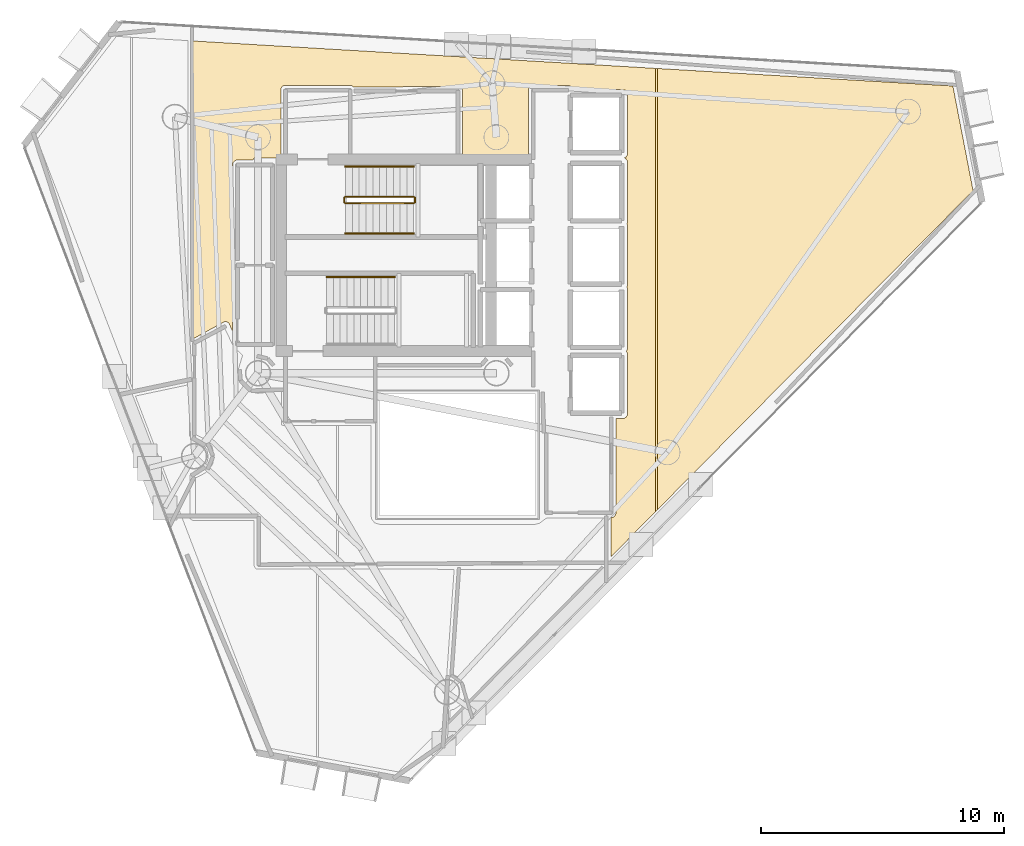
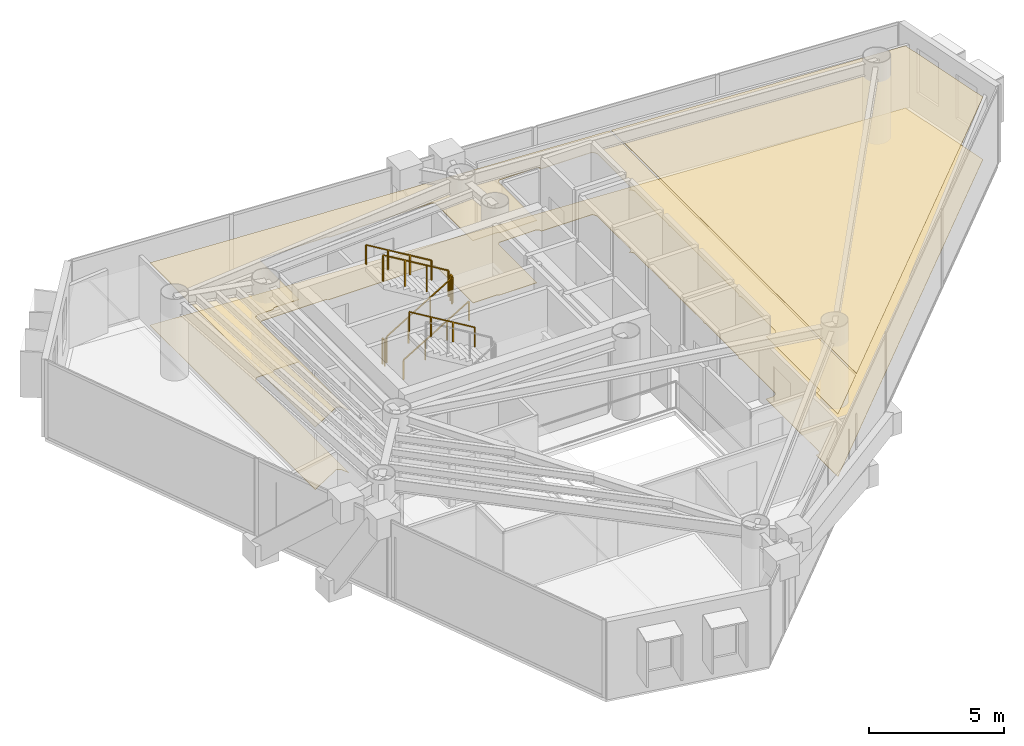
# One storey, part 20 of 20: 7 railings, 3 coverings.
"""IFC4 building model written with IfcOpenShell, lengths in metres."""

from ifc_helpers import new_model, si_unit, direction, frame, origin, origin_2d, place, context, subcontext, project, spatial, polyline, rectangle, outline, extrude, material, layer, layer_set, type_object, element, save


model = new_model("IFC4")

# Units and contexts
model_context = context("Model", 3, precision=1e-05, world=origin(), true_north=direction((0.0, 1.0)))
body_context = subcontext(model_context, "Body", "Model", "MODEL_VIEW")
ifc_project = project(units=[si_unit("LENGTHUNIT", "METRE"), si_unit("AREAUNIT", "SQUARE_METRE"), si_unit("VOLUMEUNIT", "CUBIC_METRE"), si_unit("PLANEANGLEUNIT", "RADIAN"), si_unit("MASSUNIT", "GRAM", prefix="KILO")], contexts=[model_context])

# Site, building, storey
site_placement = place(None, origin())
site = spatial("IfcSite", under=ifc_project, at=site_placement, CompositionType="ELEMENT")
building_placement = place(site_placement, origin())
building = spatial("IfcBuilding", under=site, at=building_placement, Name="Qianvela Tower", CompositionType="ELEMENT")
storey_placement = place(building_placement, frame((0.0, 0.0, 239.0)))
storey = spatial("IfcBuildingStorey", under=building, at=storey_placement, Name="L61", CompositionType="ELEMENT", Elevation=239.0)

# Coverings
ifc_material_1 = material(Name="Perforated Mineral Acoustic Ceiling Tile")
ifc_layer_1 = layer(ifc_material_1, 0.02490234375)
ifc_layer_set_1 = layer_set([ifc_layer_1], Name="Perforated Mineral Acoustic Ceiling Tile")
covering_type_1 = type_object("IfcCoveringType", Name="COV-CEIL-ACOUSTIC-25", PredefinedType="CEILING", material=ifc_layer_set_1)
covering_1_placement = place(storey_placement, frame((0.0, 0.0, 2.81494140625)))
element("IfcCovering", 1, at=covering_1_placement, inside=storey, type_object=covering_type_1, Name="L61 Acoustic Ceiling Bay 1 Social Sitting Lounge L61-02", PredefinedType="CEILING", context=body_context, shape_type="SweptSolid", body=[
    extrude(outline(polyline([(25.933837890625, 37.5107421875), (44.934814453125, 36.38427734375), (44.934814453125, 18.150390625), (43.109619140625, 16.30517578125), (43.107421875, 17.923095703125), (43.183837890625, 17.92626953125), (43.19140625, 17.9267578125), (43.19873046875, 17.92822265625), (43.2060546875, 17.93017578125), (43.212890625, 17.932861328125), (43.2197265625, 17.936279296875), (43.22607421875, 17.940185546875), (43.232177734375, 17.94482421875), (43.237548828125, 17.949951171875), (43.24267578125, 17.95556640625), (43.2470703125, 17.961669921875), (43.29638671875, 18.03564453125), (43.300537109375, 18.042236328125), (43.303955078125, 18.04931640625), (43.306640625, 18.056884765625), (43.30859375, 18.064453125), (43.3095703125, 18.072265625), (43.31005859375, 18.080078125), (43.309326171875, 21.980712890625), (43.60791015625, 21.982666015625), (43.615478515625, 21.983154296875), (43.623291015625, 21.984375), (43.630859375, 21.986083984375), (43.637939453125, 21.98876953125), (43.64501953125, 21.9921875), (43.716796875, 22.030517578125), (43.723388671875, 22.034423828125), (43.729736328125, 22.039306640625), (43.735595703125, 22.04443359375), (43.74072265625, 22.05029296875), (43.74560546875, 22.056640625), (43.74951171875, 22.063232421875), (43.787841796875, 22.135009765625), (43.791259765625, 22.14208984375), (43.7939453125, 22.1494140625), (43.7958984375, 22.156982421875), (43.796875, 22.164794921875), (43.79736328125, 22.172607421875), (43.79736328125, 24.627197265625), (43.797119140625, 24.634521484375), (43.7958984375, 24.6416015625), (43.79443359375, 24.648681640625), (43.792236328125, 24.655517578125), (43.789306640625, 24.662109375), (43.785888671875, 24.66845703125), (43.73779296875, 24.74853515625), (43.741943359375, 24.751953125), (43.74755859375, 24.757568359375), (43.75244140625, 24.763427734375), (43.7568359375, 24.77001953125), (43.760498046875, 24.777099609375), (43.763427734375, 24.7841796875), (43.79541015625, 24.873046875), (43.79736328125, 24.879638671875), (43.798828125, 24.88623046875), (43.7998046875, 24.89306640625), (43.800048828125, 24.89990234375), (43.800048828125, 27.300048828125), (43.799560546875, 27.30810546875), (43.79833984375, 27.31591796875), (43.79638671875, 27.323486328125), (43.793701171875, 27.3310546875), (43.7646484375, 27.39990234375), (43.793701171875, 27.468994140625), (43.79638671875, 27.476318359375), (43.79833984375, 27.484130859375), (43.799560546875, 27.491943359375), (43.800048828125, 27.5), (43.800048828125, 29.89990234375), (43.799560546875, 29.907958984375), (43.79833984375, 29.915771484375), (43.79638671875, 29.923583984375), (43.793701171875, 29.93115234375), (43.7646484375, 30.0), (43.793701171875, 30.06884765625), (43.79638671875, 30.076416015625), (43.798583984375, 30.084228515625), (43.799560546875, 30.09228515625), (43.800048828125, 30.100341796875), (43.789306640625, 32.553955078125), (43.788818359375, 32.561767578125), (43.787841796875, 32.5693359375), (43.785888671875, 32.576904296875), (43.783203125, 32.584228515625), (43.77978515625, 32.59130859375), (43.77587890625, 32.59814453125), (43.771240234375, 32.604248046875), (43.719482421875, 32.667236328125), (43.71435546875, 32.673095703125), (43.70849609375, 32.67822265625), (43.7021484375, 32.682861328125), (43.695556640625, 32.68701171875), (43.6884765625, 32.690185546875), (43.680908203125, 32.693115234375), (43.647216796875, 32.703125), (43.722412109375, 32.739013671875), (43.729248046875, 32.74267578125), (43.73583984375, 32.746826171875), (43.741943359375, 32.751953125), (43.74755859375, 32.757568359375), (43.75244140625, 32.763427734375), (43.7568359375, 32.77001953125), (43.760498046875, 32.777099609375), (43.763427734375, 32.7841796875), (43.79541015625, 32.873046875), (43.7978515625, 32.8818359375), (43.799560546875, 32.890869140625), (43.800048828125, 32.89990234375), (43.800048828125, 35.300048828125), (43.7998046875, 35.30712890625), (43.798583984375, 35.314208984375), (43.797119140625, 35.3212890625), (43.794921875, 35.328125), (43.7919921875, 35.334716796875), (43.78857421875, 35.341064453125), (43.714599609375, 35.464599609375), (43.710205078125, 35.471435546875), (43.704833984375, 35.477783203125), (43.698974609375, 35.4833984375), (43.692626953125, 35.488525390625), (43.685791015625, 35.492919921875), (43.678466796875, 35.49658203125), (43.670654296875, 35.49951171875), (43.662841796875, 35.501708984375), (43.65478515625, 35.5029296875), (43.646484375, 35.50341796875), (41.515625, 35.519287109375), (41.513916015625, 35.554931640625), (41.512939453125, 35.562744140625), (41.511474609375, 35.5703125), (41.509033203125, 35.577880859375), (41.506103515625, 35.585205078125), (41.50244140625, 35.591796875), (41.498046875, 35.598388671875), (41.4931640625, 35.6044921875), (41.487548828125, 35.60986328125), (41.481689453125, 35.614990234375), (41.41552734375, 35.663818359375), (41.409423828125, 35.66796875), (41.40283203125, 35.67138671875), (41.396240234375, 35.67431640625), (41.38916015625, 35.6767578125), (41.382080078125, 35.67822265625), (41.374755859375, 35.67919921875), (41.367431640625, 35.6796875), (39.841796875, 35.670654296875), (39.83349609375, 35.670166015625), (39.825439453125, 35.668701171875), (39.817626953125, 35.666748046875), (39.81005859375, 35.663818359375), (39.802490234375, 35.659912109375), (39.795654296875, 35.655517578125), (39.789306640625, 35.650390625), (39.783447265625, 35.644775390625), (39.7783203125, 35.638427734375), (39.773681640625, 35.631591796875), (39.7314453125, 35.56103515625), (39.727294921875, 35.553466796875), (39.72412109375, 35.54541015625), (39.721923828125, 35.537109375), (39.720458984375, 35.528564453125), (39.719970703125, 35.52001953125), (39.719970703125, 32.719970703125), (38.125, 32.719970703125), (38.03369140625, 32.762451171875), (38.025634765625, 32.765625), (38.017333984375, 32.76806640625), (38.0087890625, 32.76953125), (38.0, 32.77001953125), (37.010009765625, 32.77001953125), (37.010009765625, 35.47998046875), (37.009765625, 35.4873046875), (37.0087890625, 35.494384765625), (37.007080078125, 35.501708984375), (37.004638671875, 35.508544921875), (37.001708984375, 35.51513671875), (36.998291015625, 35.521484375), (36.994384765625, 35.527587890625), (36.9375, 35.604248046875), (36.9326171875, 35.610107421875), (36.927490234375, 35.615234375), (36.921630859375, 35.6201171875), (36.91552734375, 35.62451171875), (36.9091796875, 35.628173828125), (36.902099609375, 35.631103515625), (36.89501953125, 35.633544921875), (36.8876953125, 35.63525390625), (36.88037109375, 35.63623046875), (36.872802734375, 35.63671875), (32.524658203125, 35.6201171875), (32.468994140625, 35.6630859375), (32.462890625, 35.66748046875), (32.456298828125, 35.67138671875), (32.449462890625, 35.67431640625), (32.4423828125, 35.6767578125), (32.43505859375, 35.6787109375), (32.427490234375, 35.6796875), (32.419921875, 35.679931640625), (29.692138671875, 35.6796875), (29.684326171875, 35.67919921875), (29.676513671875, 35.677978515625), (29.6689453125, 35.67626953125), (29.66162109375, 35.673583984375), (29.654296875, 35.670166015625), (29.600341796875, 35.641357421875), (29.593994140625, 35.637451171875), (29.588134765625, 35.63330078125), (29.58251953125, 35.62841796875), (29.57763671875, 35.623046875), (29.572998046875, 35.6171875), (29.569091796875, 35.611083984375), (29.565673828125, 35.6044921875), (29.562744140625, 35.59765625), (29.544677734375, 35.547119140625), (29.5419921875, 35.5380859375), (29.54052734375, 35.529052734375), (29.5400390625, 35.52001953125), (29.5400390625, 32.700439453125), (28.54296875, 32.709716796875), (28.53662109375, 32.70947265625), (28.530029296875, 32.708740234375), (28.4677734375, 32.69921875), (28.460205078125, 32.697509765625), (28.452880859375, 32.6953125), (28.446044921875, 32.6923828125), (28.439208984375, 32.688720703125), (28.432861328125, 32.6845703125), (28.427001953125, 32.6796875), (28.42138671875, 32.674560546875), (28.41650390625, 32.668701171875), (28.412109375, 32.662353515625), (28.408447265625, 32.65576171875), (28.405517578125, 32.648681640625), (28.403076171875, 32.6416015625), (28.4013671875, 32.634033203125), (28.400390625, 32.62646484375), (28.39892578125, 32.610107421875), (27.712158203125, 32.609619140625), (27.70361328125, 32.609130859375), (27.6953125, 32.60791015625), (27.687255859375, 32.605712890625), (27.679443359375, 32.6025390625), (27.672119140625, 32.598876953125), (27.664794921875, 32.59423828125), (27.658447265625, 32.5888671875), (27.587890625, 32.52490234375), (27.581787109375, 32.51904296875), (27.57666015625, 32.512451171875), (27.572265625, 32.505615234375), (27.568359375, 32.498046875), (27.5654296875, 32.490234375), (27.563232421875, 32.482177734375), (27.56201171875, 32.47412109375), (27.5615234375, 32.465576171875), (27.56005859375, 28.47998046875), (27.560302734375, 28.47216796875), (27.5615234375, 28.46435546875), (27.5634765625, 28.456787109375), (27.566162109375, 28.449462890625), (27.58642578125, 28.39990234375), (27.566162109375, 28.3505859375), (27.5634765625, 28.34326171875), (27.5615234375, 28.335693359375), (27.560302734375, 28.327880859375), (27.56005859375, 28.320068359375), (27.56005859375, 25.567626953125), (27.406005859375, 25.892333984375), (27.402587890625, 25.89892578125), (27.3984375, 25.9052734375), (27.3935546875, 25.910888671875), (27.388427734375, 25.91650390625), (27.3828125, 25.92138671875), (27.37646484375, 25.925537109375), (27.3701171875, 25.92919921875), (27.294677734375, 25.967529296875), (27.28759765625, 25.970703125), (27.2802734375, 25.97314453125), (27.272705078125, 25.97509765625), (27.26513671875, 25.97607421875), (27.25732421875, 25.976318359375), (27.24951171875, 25.975830078125), (27.241943359375, 25.974609375), (27.234619140625, 25.97265625), (27.227294921875, 25.969970703125), (27.22021484375, 25.966552734375), (25.933349609375, 25.267822265625), (25.933837890625, 37.5107421875)])), origin(), (0.0, 0.0, 1.0), 0.025146484375),
])
covering_2_placement = place(storey_placement, frame((0.0, 0.0, 2.81494140625)))
element("IfcCovering", 2, at=covering_2_placement, inside=storey, type_object=covering_type_1, Name="L61 Acoustic Ceiling Bay 2 Social Sitting Lounge L61-02", PredefinedType="CEILING", context=body_context, shape_type="SweptSolid", body=[
    extrude(outline(polyline([(57.1669921875, 35.658935546875), (57.998291015625, 31.357177734375), (45.014892578125, 18.231201171875), (45.014892578125, 36.37939453125), (57.1669921875, 35.658935546875)])), origin(), (0.0, 0.0, 1.0), 0.025146484375),
])
ifc_material_2 = material(Name="Engineered Acoustic Oak Timber Flooring", Category="wood")
ifc_layer_2 = layer(ifc_material_2, 0.02001953125)
ifc_layer_set_2 = layer_set([ifc_layer_2], Name="Engineered Acoustic Oak Timber Flooring")
covering_type_2 = type_object("IfcCoveringType", Name="COV-FLOOR-OAK-20", PredefinedType="FLOORING", material=ifc_layer_set_2)
covering_3_placement = place(storey_placement, origin())
element("IfcCovering", 3, at=covering_3_placement, inside=storey, type_object=covering_type_2, Name="L61 Finish Flooring Social Sitting Lounge L61-02", PredefinedType="FLOORING", context=body_context, shape_type="SweptSolid", body=[
    extrude(outline(polyline([(25.933349609375, 25.267822265625), (25.933837890625, 37.5107421875), (57.1669921875, 35.658935546875), (57.998291015625, 31.357177734375), (43.109619140625, 16.30517578125), (43.107421875, 17.923095703125), (43.183837890625, 17.92626953125), (43.19140625, 17.9267578125), (43.19873046875, 17.92822265625), (43.2060546875, 17.93017578125), (43.212890625, 17.932861328125), (43.2197265625, 17.936279296875), (43.22607421875, 17.940185546875), (43.232177734375, 17.94482421875), (43.237548828125, 17.949951171875), (43.24267578125, 17.95556640625), (43.2470703125, 17.961669921875), (43.29638671875, 18.03564453125), (43.300537109375, 18.042236328125), (43.303955078125, 18.04931640625), (43.306640625, 18.056884765625), (43.30859375, 18.064453125), (43.3095703125, 18.072265625), (43.31005859375, 18.080078125), (43.309326171875, 21.980712890625), (43.60791015625, 21.982666015625), (43.615478515625, 21.983154296875), (43.623291015625, 21.984375), (43.630859375, 21.986083984375), (43.637939453125, 21.98876953125), (43.64501953125, 21.9921875), (43.716796875, 22.030517578125), (43.723388671875, 22.034423828125), (43.729736328125, 22.039306640625), (43.735595703125, 22.04443359375), (43.74072265625, 22.05029296875), (43.74560546875, 22.056640625), (43.74951171875, 22.063232421875), (43.787841796875, 22.135009765625), (43.791259765625, 22.14208984375), (43.7939453125, 22.1494140625), (43.7958984375, 22.156982421875), (43.796875, 22.164794921875), (43.79736328125, 22.172607421875), (43.79736328125, 24.627197265625), (43.797119140625, 24.634521484375), (43.7958984375, 24.6416015625), (43.79443359375, 24.648681640625), (43.792236328125, 24.655517578125), (43.789306640625, 24.662109375), (43.785888671875, 24.66845703125), (43.73779296875, 24.74853515625), (43.741943359375, 24.751953125), (43.74755859375, 24.757568359375), (43.75244140625, 24.763427734375), (43.7568359375, 24.77001953125), (43.760498046875, 24.777099609375), (43.763427734375, 24.7841796875), (43.79541015625, 24.873046875), (43.79736328125, 24.879638671875), (43.798828125, 24.88623046875), (43.7998046875, 24.89306640625), (43.800048828125, 24.89990234375), (43.800048828125, 27.300048828125), (43.799560546875, 27.30810546875), (43.79833984375, 27.31591796875), (43.79638671875, 27.323486328125), (43.793701171875, 27.3310546875), (43.7646484375, 27.39990234375), (43.793701171875, 27.468994140625), (43.79638671875, 27.476318359375), (43.79833984375, 27.484130859375), (43.799560546875, 27.491943359375), (43.800048828125, 27.5), (43.800048828125, 29.89990234375), (43.799560546875, 29.907958984375), (43.79833984375, 29.915771484375), (43.79638671875, 29.923583984375), (43.793701171875, 29.93115234375), (43.7646484375, 30.0), (43.793701171875, 30.06884765625), (43.79638671875, 30.076416015625), (43.798583984375, 30.084228515625), (43.799560546875, 30.09228515625), (43.800048828125, 30.100341796875), (43.789306640625, 32.553955078125), (43.788818359375, 32.561767578125), (43.787841796875, 32.5693359375), (43.785888671875, 32.576904296875), (43.783203125, 32.584228515625), (43.77978515625, 32.59130859375), (43.77587890625, 32.59814453125), (43.771240234375, 32.604248046875), (43.719482421875, 32.667236328125), (43.71435546875, 32.673095703125), (43.70849609375, 32.67822265625), (43.7021484375, 32.682861328125), (43.695556640625, 32.68701171875), (43.6884765625, 32.690185546875), (43.680908203125, 32.693115234375), (43.647216796875, 32.703125), (43.722412109375, 32.739013671875), (43.729248046875, 32.74267578125), (43.73583984375, 32.746826171875), (43.741943359375, 32.751953125), (43.74755859375, 32.757568359375), (43.75244140625, 32.763427734375), (43.7568359375, 32.77001953125), (43.760498046875, 32.777099609375), (43.763427734375, 32.7841796875), (43.79541015625, 32.873046875), (43.7978515625, 32.8818359375), (43.799560546875, 32.890869140625), (43.800048828125, 32.89990234375), (43.800048828125, 35.300048828125), (43.7998046875, 35.30712890625), (43.798583984375, 35.314208984375), (43.797119140625, 35.3212890625), (43.794921875, 35.328125), (43.7919921875, 35.334716796875), (43.78857421875, 35.341064453125), (43.714599609375, 35.464599609375), (43.710205078125, 35.471435546875), (43.704833984375, 35.477783203125), (43.698974609375, 35.4833984375), (43.692626953125, 35.488525390625), (43.685791015625, 35.492919921875), (43.678466796875, 35.49658203125), (43.670654296875, 35.49951171875), (43.662841796875, 35.501708984375), (43.65478515625, 35.5029296875), (43.646484375, 35.50341796875), (41.515625, 35.519287109375), (41.513916015625, 35.554931640625), (41.512939453125, 35.562744140625), (41.511474609375, 35.5703125), (41.509033203125, 35.577880859375), (41.506103515625, 35.585205078125), (41.50244140625, 35.591796875), (41.498046875, 35.598388671875), (41.4931640625, 35.6044921875), (41.487548828125, 35.60986328125), (41.481689453125, 35.614990234375), (41.41552734375, 35.663818359375), (41.409423828125, 35.66796875), (41.40283203125, 35.67138671875), (41.396240234375, 35.67431640625), (41.38916015625, 35.6767578125), (41.382080078125, 35.67822265625), (41.374755859375, 35.67919921875), (41.367431640625, 35.6796875), (39.841796875, 35.670654296875), (39.83349609375, 35.670166015625), (39.825439453125, 35.668701171875), (39.817626953125, 35.666748046875), (39.81005859375, 35.663818359375), (39.802490234375, 35.659912109375), (39.795654296875, 35.655517578125), (39.789306640625, 35.650390625), (39.783447265625, 35.644775390625), (39.7783203125, 35.638427734375), (39.773681640625, 35.631591796875), (39.7314453125, 35.56103515625), (39.727294921875, 35.553466796875), (39.72412109375, 35.54541015625), (39.721923828125, 35.537109375), (39.720458984375, 35.528564453125), (39.719970703125, 35.52001953125), (39.719970703125, 32.719970703125), (38.125, 32.719970703125), (38.03369140625, 32.762451171875), (38.025634765625, 32.765625), (38.017333984375, 32.76806640625), (38.0087890625, 32.76953125), (38.0, 32.77001953125), (37.010009765625, 32.77001953125), (37.010009765625, 35.47998046875), (37.009765625, 35.4873046875), (37.0087890625, 35.494384765625), (37.007080078125, 35.501708984375), (37.004638671875, 35.508544921875), (37.001708984375, 35.51513671875), (36.998291015625, 35.521484375), (36.994384765625, 35.527587890625), (36.9375, 35.604248046875), (36.9326171875, 35.610107421875), (36.927490234375, 35.615234375), (36.921630859375, 35.6201171875), (36.91552734375, 35.62451171875), (36.9091796875, 35.628173828125), (36.902099609375, 35.631103515625), (36.89501953125, 35.633544921875), (36.8876953125, 35.63525390625), (36.88037109375, 35.63623046875), (36.872802734375, 35.63671875), (32.524658203125, 35.6201171875), (32.468994140625, 35.6630859375), (32.462890625, 35.66748046875), (32.456298828125, 35.67138671875), (32.449462890625, 35.67431640625), (32.4423828125, 35.6767578125), (32.43505859375, 35.6787109375), (32.427490234375, 35.6796875), (32.419921875, 35.679931640625), (29.692138671875, 35.6796875), (29.684326171875, 35.67919921875), (29.676513671875, 35.677978515625), (29.6689453125, 35.67626953125), (29.66162109375, 35.673583984375), (29.654296875, 35.670166015625), (29.600341796875, 35.641357421875), (29.593994140625, 35.637451171875), (29.588134765625, 35.63330078125), (29.58251953125, 35.62841796875), (29.57763671875, 35.623046875), (29.572998046875, 35.6171875), (29.569091796875, 35.611083984375), (29.565673828125, 35.6044921875), (29.562744140625, 35.59765625), (29.544677734375, 35.547119140625), (29.5419921875, 35.5380859375), (29.54052734375, 35.529052734375), (29.5400390625, 35.52001953125), (29.5400390625, 32.700439453125), (28.54296875, 32.709716796875), (28.53662109375, 32.70947265625), (28.530029296875, 32.708740234375), (28.4677734375, 32.69921875), (28.460205078125, 32.697509765625), (28.452880859375, 32.6953125), (28.446044921875, 32.6923828125), (28.439208984375, 32.688720703125), (28.432861328125, 32.6845703125), (28.427001953125, 32.6796875), (28.42138671875, 32.674560546875), (28.41650390625, 32.668701171875), (28.412109375, 32.662353515625), (28.408447265625, 32.65576171875), (28.405517578125, 32.648681640625), (28.403076171875, 32.6416015625), (28.4013671875, 32.634033203125), (28.400390625, 32.62646484375), (28.39892578125, 32.610107421875), (27.712158203125, 32.609619140625), (27.70361328125, 32.609130859375), (27.6953125, 32.60791015625), (27.687255859375, 32.605712890625), (27.679443359375, 32.6025390625), (27.672119140625, 32.598876953125), (27.664794921875, 32.59423828125), (27.658447265625, 32.5888671875), (27.587890625, 32.52490234375), (27.581787109375, 32.51904296875), (27.57666015625, 32.512451171875), (27.572265625, 32.505615234375), (27.568359375, 32.498046875), (27.5654296875, 32.490234375), (27.563232421875, 32.482177734375), (27.56201171875, 32.47412109375), (27.5615234375, 32.465576171875), (27.56005859375, 28.47998046875), (27.560302734375, 28.47216796875), (27.5615234375, 28.46435546875), (27.5634765625, 28.456787109375), (27.566162109375, 28.449462890625), (27.58642578125, 28.39990234375), (27.566162109375, 28.3505859375), (27.5634765625, 28.34326171875), (27.5615234375, 28.335693359375), (27.560302734375, 28.327880859375), (27.56005859375, 28.320068359375), (27.56005859375, 25.567626953125), (27.406005859375, 25.892333984375), (27.402587890625, 25.89892578125), (27.3984375, 25.9052734375), (27.3935546875, 25.910888671875), (27.388427734375, 25.91650390625), (27.3828125, 25.92138671875), (27.37646484375, 25.925537109375), (27.3701171875, 25.92919921875), (27.294677734375, 25.967529296875), (27.28759765625, 25.970703125), (27.2802734375, 25.97314453125), (27.272705078125, 25.97509765625), (27.26513671875, 25.97607421875), (27.25732421875, 25.976318359375), (27.24951171875, 25.975830078125), (27.241943359375, 25.974609375), (27.234619140625, 25.97265625), (27.227294921875, 25.969970703125), (27.22021484375, 25.966552734375), (25.933349609375, 25.267822265625)])), origin(), (0.0, 0.0, 1.0), 0.02001953125),
])

# Railings
ifc_material_3 = material(Name="Painted Tubular Steel Q355B", Category="steel")
railing_type_1 = type_object("IfcRailingType", Name="RL-STAIR-GUARD-1200", PredefinedType="GUARDRAIL", material=ifc_material_3)
railing_1_placement = place(storey_placement, frame((32.199951171875, 30.840087890625, 0.168212890625)))
element("IfcRailing", 4, at=railing_1_placement, inside=storey, type_object=railing_type_1, Name="L61 ST-1 stair guard 1", PredefinedType="GUARDRAIL", context=body_context, shape_type="SweptSolid", body=[
    extrude(rectangle(XDim=0.050048828125, YDim=0.0400390625, at=origin_2d()), frame((0.0, 0.0, 1.179931640625), z_axis=(0.857242210791, 0.0, 0.514913383045), x_axis=(0.0, 1.0, 0.0)), (0.0, 0.0, 1.0), 3.266357421875),
    extrude(rectangle(XDim=0.050048828125, YDim=0.050048828125, at=origin_2d()), origin(), (0.0, 0.0, 1.0), 1.159912109375),
    extrude(rectangle(XDim=0.050048828125, YDim=0.050048828125, at=origin_2d()), frame((0.933349609375, 0.0, 0.560546875)), (0.0, 0.0, 1.0), 1.159912109375),
    extrude(rectangle(XDim=0.050048828125, YDim=0.050048828125, at=origin_2d()), frame((1.86669921875, 0.0, 1.121337890625)), (0.0, 0.0, 1.0), 1.159912109375),
    extrude(rectangle(XDim=0.050048828125, YDim=0.050048828125, at=origin_2d()), frame((2.800048828125, 0.0, 1.681884765625)), (0.0, 0.0, 1.0), 1.159912109375),
])
railing_2_placement = place(storey_placement, frame((35.050048828125, 30.889892578125, 1.85009765625)))
element("IfcRailing", 5, at=railing_2_placement, inside=storey, type_object=railing_type_1, Name="L61 ST-1 stair guard 2", PredefinedType="GUARDRAIL", context=body_context, shape_type="SweptSolid", body=[
    extrude(rectangle(XDim=0.050048828125, YDim=0.0400390625, at=origin_2d()), frame((0.0, 0.0, 1.179931640625), z_axis=(0.0, 1.0, 0.0), x_axis=(-1.0, 0.0, 0.0)), (0.0, 0.0, 1.0), 0.16015625),
    extrude(rectangle(XDim=0.050048828125, YDim=0.050048828125, at=origin_2d()), origin(), (0.0, 0.0, 1.0), 1.159912109375),
    extrude(rectangle(XDim=0.050048828125, YDim=0.050048828125, at=origin_2d()), frame((0.0, 0.16015625, 0.0)), (0.0, 0.0, 1.0), 1.159912109375),
])
railing_3_placement = place(storey_placement, frame((35.0, 31.10009765625, 2.01806640625)))
element("IfcRailing", 6, at=railing_3_placement, inside=storey, type_object=railing_type_1, Name="L61 ST-1 stair guard 3", PredefinedType="GUARDRAIL", context=body_context, shape_type="SweptSolid", body=[
    extrude(rectangle(XDim=0.050048828125, YDim=0.0400390625, at=origin_2d()), frame((0.0, 0.0, 1.179931640625), z_axis=(-0.857242210791, 0.0, 0.514913383045), x_axis=(0.0, -1.0, 0.0)), (0.0, 0.0, 1.0), 3.266357421875),
    extrude(rectangle(XDim=0.050048828125, YDim=0.050048828125, at=origin_2d()), origin(), (0.0, 0.0, 1.0), 1.159912109375),
    extrude(rectangle(XDim=0.050048828125, YDim=0.050048828125, at=origin_2d()), frame((-0.933349609375, 0.0, 0.560546875)), (0.0, 0.0, 1.0), 1.159912109375),
    extrude(rectangle(XDim=0.050048828125, YDim=0.050048828125, at=origin_2d()), frame((-1.86669921875, 0.0, 1.121337890625)), (0.0, 0.0, 1.0), 1.159912109375),
    extrude(rectangle(XDim=0.050048828125, YDim=0.050048828125, at=origin_2d()), frame((-2.800048828125, 0.0, 1.681884765625)), (0.0, 0.0, 1.0), 1.159912109375),
])
railing_4_placement = place(storey_placement, frame((32.14990234375, 30.889892578125, 0.0)))
element("IfcRailing", 7, at=railing_4_placement, inside=storey, type_object=railing_type_1, Name="L61 ST-1 stair guard 4", PredefinedType="GUARDRAIL", context=body_context, shape_type="SweptSolid", body=[
    extrude(rectangle(XDim=0.050048828125, YDim=0.0400390625, at=origin_2d()), frame((0.0, 0.0, 1.179931640625), z_axis=(0.0, 1.0, 0.0), x_axis=(-1.0, 0.0, 0.0)), (0.0, 0.0, 1.0), 0.16015625),
    extrude(rectangle(XDim=0.050048828125, YDim=0.050048828125, at=origin_2d()), origin(), (0.0, 0.0, 1.0), 1.159912109375),
    extrude(rectangle(XDim=0.050048828125, YDim=0.050048828125, at=origin_2d()), frame((0.0, 0.16015625, 0.0)), (0.0, 0.0, 1.0), 1.159912109375),
])
ifc_material_4 = material(Name="Brushed Stainless Steel 304", Category="steel")
railing_type_2 = type_object("IfcRailingType", Name="RL-STAIR-HANDRAIL-900", PredefinedType="HANDRAIL", material=ifc_material_4)
railing_5_placement = place(storey_placement, frame((32.199951171875, 29.590087890625, 0.168212890625)))
element("IfcRailing", 8, at=railing_5_placement, inside=storey, type_object=railing_type_2, Name="L61 ST-1 stair handrail 1", PredefinedType="HANDRAIL", context=body_context, shape_type="SweptSolid", body=[
    extrude(rectangle(XDim=0.050048828125, YDim=0.0400390625, at=origin_2d()), frame((0.0, 0.0, 0.8798828125), z_axis=(0.857242210791, 0.0, 0.514913383045), x_axis=(0.0, 1.0, 0.0)), (0.0, 0.0, 1.0), 3.266357421875),
    extrude(rectangle(XDim=0.050048828125, YDim=0.050048828125, at=origin_2d()), origin(), (0.0, 0.0, 1.0), 0.85986328125),
    extrude(rectangle(XDim=0.050048828125, YDim=0.050048828125, at=origin_2d()), frame((0.933349609375, 0.0, 0.560546875)), (0.0, 0.0, 1.0), 0.85986328125),
    extrude(rectangle(XDim=0.050048828125, YDim=0.050048828125, at=origin_2d()), frame((1.86669921875, 0.0, 1.121337890625)), (0.0, 0.0, 1.0), 0.85986328125),
    extrude(rectangle(XDim=0.050048828125, YDim=0.050048828125, at=origin_2d()), frame((2.800048828125, 0.0, 1.681884765625)), (0.0, 0.0, 1.0), 0.85986328125),
])
for number, where, name in (
    (9, (35.0, 32.35009765625, 2.01806640625), "L61 ST-1 stair handrail 2"),
    (10, (34.219970703125, 27.81005859375, 2.01806640625), "L61 ST-2 stair handrail 2"),
):
    element("IfcRailing", number, at=place(storey_placement, frame(where)), inside=storey, type_object=railing_type_2, Name=name, PredefinedType="HANDRAIL", context=body_context, shape_type="SweptSolid", body=[
        extrude(rectangle(XDim=0.050048828125, YDim=0.0400390625, at=origin_2d()), frame((0.0, 0.0, 0.8798828125), z_axis=(-0.857242210791, 0.0, 0.514913383045), x_axis=(0.0, -1.0, 0.0)), (0.0, 0.0, 1.0), 3.266357421875),
        extrude(rectangle(XDim=0.050048828125, YDim=0.050048828125, at=origin_2d()), origin(), (0.0, 0.0, 1.0), 0.85986328125),
        extrude(rectangle(XDim=0.050048828125, YDim=0.050048828125, at=origin_2d()), frame((-0.933349609375, 0.0, 0.560546875)), (0.0, 0.0, 1.0), 0.85986328125),
        extrude(rectangle(XDim=0.050048828125, YDim=0.050048828125, at=origin_2d()), frame((-1.86669921875, 0.0, 1.121337890625)), (0.0, 0.0, 1.0), 0.85986328125),
        extrude(rectangle(XDim=0.050048828125, YDim=0.050048828125, at=origin_2d()), frame((-2.800048828125, 0.0, 1.681884765625)), (0.0, 0.0, 1.0), 0.85986328125),
    ])

save(model, "model.ifc")
